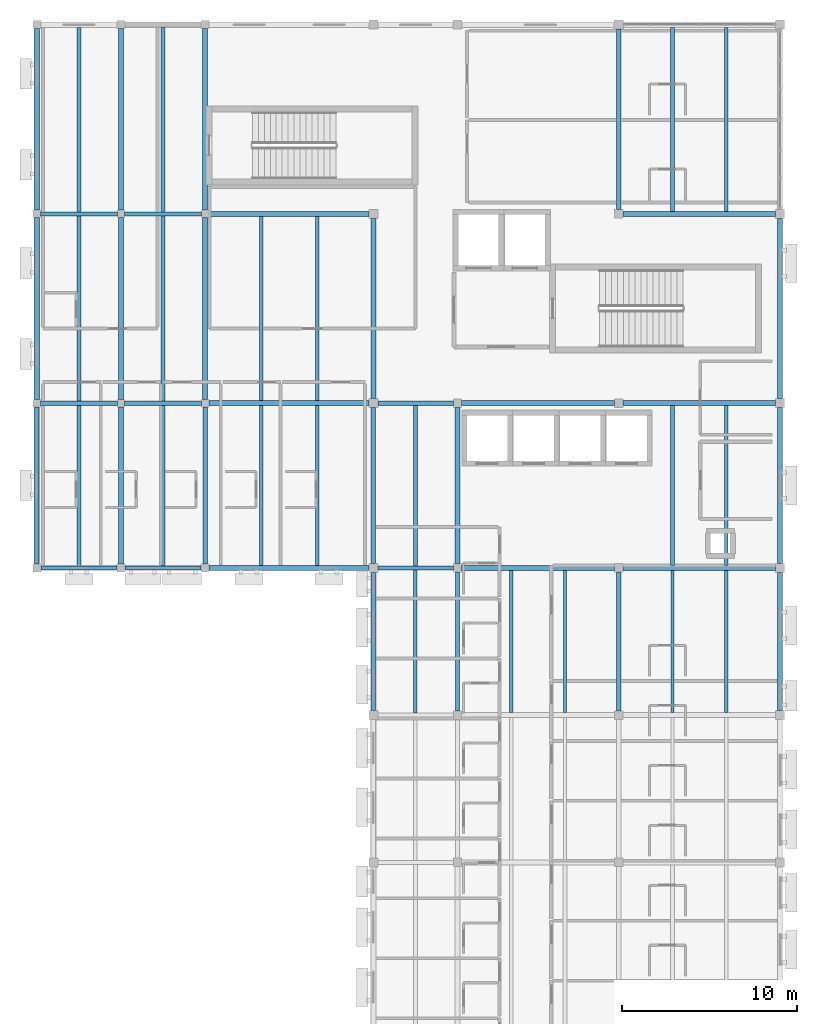
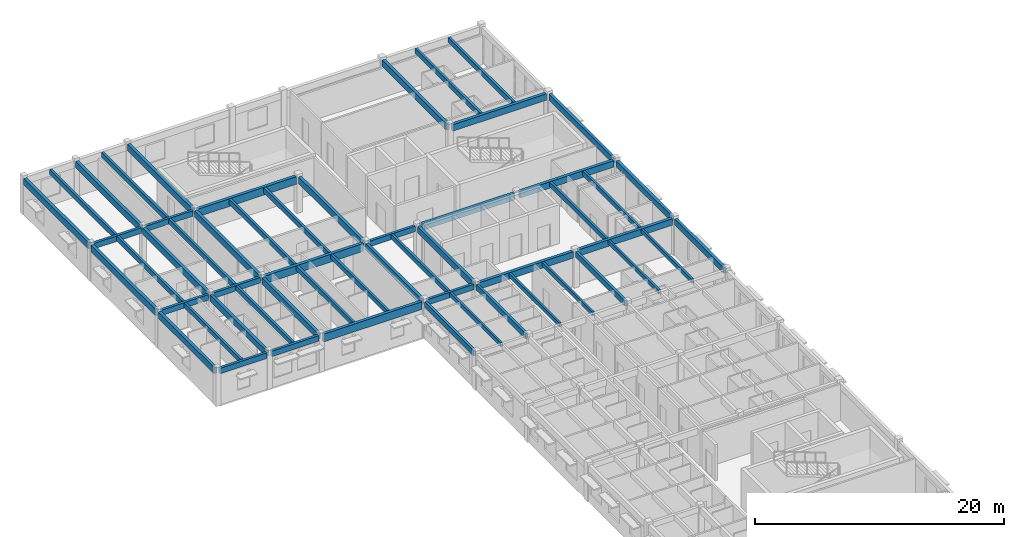
# One storey, part 2 of 22: 55 beams.
"""IFC4 building model written with IfcOpenShell, lengths in metres."""

from ifc_helpers import new_model, si_unit, direction, frame, origin, origin_2d, place, context, subcontext, project, spatial, rectangle, extrude, material, material_profile, profile_set, type_object, element, save


model = new_model("IFC4")

# Units and contexts
model_context = context("Model", 3, precision=1e-05, world=origin(), true_north=direction((0.0, 1.0)))
body_context = subcontext(model_context, "Body", "Model", "MODEL_VIEW")
ifc_project = project(units=[si_unit("LENGTHUNIT", "METRE"), si_unit("AREAUNIT", "SQUARE_METRE"), si_unit("VOLUMEUNIT", "CUBIC_METRE"), si_unit("PLANEANGLEUNIT", "RADIAN"), si_unit("MASSUNIT", "GRAM", prefix="KILO")], contexts=[model_context])

# Site, building, storey
site_placement = place(None, origin())
site = spatial("IfcSite", under=ifc_project, at=site_placement, CompositionType="ELEMENT")
building_placement = place(site_placement, origin())
building = spatial("IfcBuilding", under=site, at=building_placement, Name="Veldera Park Congress Hotel", CompositionType="ELEMENT")
storey_placement = place(building_placement, frame((0.0, 0.0, 23.800048828125)))
storey = spatial("IfcBuildingStorey", under=building, at=storey_placement, Name="L05", CompositionType="ELEMENT", Elevation=23.800048828125)

# Beams
ifc_material = material(Name="Glulam GL28h (NDS 24F-V4)", Category="wood")
ifc_material_profile_1 = material_profile(ifc_material, rectangle(XDim=0.239990234375, YDim=0.5400390625, at=origin_2d()), Name="GL28h 240x540")
ifc_profile_set_1 = profile_set([ifc_material_profile_1], Name="Glulam GL28h (NDS 24F-V4)")
beam_type_1 = type_object("IfcBeamType", Name="BM-GL540", PredefinedType="BEAM", material=ifc_profile_set_1)
for number, where, z_axis, x_axis, name in (
    (1, (41.824951171875, 27.0, 3.280029296875), (1.0, 0.0, 0.0), (0.0, 1.0, 0.0), "L05 Girder BM-GL540 1409"),
    (2, (46.625, 27.0, 3.280029296875), (1.0, 0.0, 0.0), (0.0, 1.0, 0.0), "L05 Girder BM-GL540 1410"),
):
    element("IfcBeam", number, at=place(storey_placement, frame(where, z_axis=z_axis, x_axis=x_axis)), inside=storey, type_object=beam_type_1, Name=name, PredefinedType="BEAM", context=body_context, shape_type="SweptSolid", body=[
        extrude(rectangle(XDim=0.239990234375, YDim=0.5400390625, at=origin_2d()), origin(), (0.0, 0.0, 1.0), 4.35009765625),
    ])
beam_1_placement = place(storey_placement, frame((61.06005859375, 27.0, 3.280029296875), z_axis=(1.0, 0.0, 0.0), x_axis=(0.0, 1.0, 0.0)))
element("IfcBeam", 3, at=beam_1_placement, inside=storey, type_object=beam_type_1, Name="L05 Girder BM-GL540 1412", PredefinedType="BEAM", context=body_context, shape_type="SweptSolid", body=[
    extrude(rectangle(XDim=0.239990234375, YDim=0.5400390625, at=origin_2d()), origin(), (0.0, 0.0, 1.0), 4.300048828125),
])
for number, where, z_axis, x_axis, name in (
    (4, (41.81005859375, 36.39990234375, 3.280029296875), (1.0, 0.0, 0.0), (0.0, 1.0, 0.0), "L05 Girder BM-GL540 1415"),
    (5, (46.610107421875, 36.39990234375, 3.280029296875), (1.0, 0.0, 0.0), (0.0, 1.0, 0.0), "L05 Girder BM-GL540 1416"),
):
    element("IfcBeam", number, at=place(storey_placement, frame(where, z_axis=z_axis, x_axis=x_axis)), inside=storey, type_object=beam_type_1, Name=name, PredefinedType="BEAM", context=body_context, shape_type="SweptSolid", body=[
        extrude(rectangle(XDim=0.239990234375, YDim=0.5400390625, at=origin_2d()), origin(), (0.0, 0.0, 1.0), 4.3798828125),
    ])
beam_2_placement = place(storey_placement, frame((61.06005859375, 36.39990234375, 3.280029296875), z_axis=(1.0, 0.0, 0.0), x_axis=(0.0, 1.0, 0.0)))
element("IfcBeam", 6, at=beam_2_placement, inside=storey, type_object=beam_type_1, Name="L05 Girder BM-GL540 1418", PredefinedType="BEAM", context=body_context, shape_type="SweptSolid", body=[
    extrude(rectangle(XDim=0.239990234375, YDim=0.5400390625, at=origin_2d()), origin(), (0.0, 0.0, 1.0), 4.300048828125),
])
for number, where, z_axis, x_axis, name in (
    (7, (41.81005859375, 47.199951171875, 3.280029296875), (1.0, 0.0, 0.0), (0.0, 1.0, 0.0), "L05 Girder BM-GL540 1421"),
    (8, (46.610107421875, 47.199951171875, 3.280029296875), (1.0, 0.0, 0.0), (0.0, 1.0, 0.0), "L05 Girder BM-GL540 1422"),
):
    element("IfcBeam", number, at=place(storey_placement, frame(where, z_axis=z_axis, x_axis=x_axis)), inside=storey, type_object=beam_type_1, Name=name, PredefinedType="BEAM", context=body_context, shape_type="SweptSolid", body=[
        extrude(rectangle(XDim=0.239990234375, YDim=0.5400390625, at=origin_2d()), origin(), (0.0, 0.0, 1.0), 4.3798828125),
    ])
beam_3_placement = place(storey_placement, frame((60.800048828125, 18.860107421875, 3.280029296875), z_axis=(0.0, 1.0, 0.0), x_axis=(-1.0, 0.0, 0.0)))
element("IfcBeam", 9, at=beam_3_placement, inside=storey, type_object=beam_type_1, Name="L05 Girder BM-GL540 1447", PredefinedType="BEAM", context=body_context, shape_type="SweptSolid", body=[
    extrude(rectangle(XDim=0.239990234375, YDim=0.5400390625, at=origin_2d()), origin(), (0.0, 0.0, 1.0), 7.8798828125),
])
for number, where, z_axis, x_axis, name in (
    (10, (65.60009765625, 18.840087890625, 3.280029296875), (0.0, 1.0, 0.0), (-1.0, 0.0, 0.0), "L05 Girder BM-GL540 1455"),
    (11, (74.800048828125, 18.840087890625, 3.280029296875), (0.0, 1.0, 0.0), (-1.0, 0.0, 0.0), "L05 Girder BM-GL540 1462"),
):
    element("IfcBeam", number, at=place(storey_placement, frame(where, z_axis=z_axis, x_axis=x_axis)), inside=storey, type_object=beam_type_1, Name=name, PredefinedType="BEAM", context=body_context, shape_type="SweptSolid", body=[
        extrude(rectangle(XDim=0.239990234375, YDim=0.5400390625, at=origin_2d()), origin(), (0.0, 0.0, 1.0), 7.919921875),
    ])
ifc_material_profile_2 = material_profile(ifc_material, rectangle(XDim=0.264892578125, YDim=0.580078125, at=origin_2d()), Name="GL28h 265x580")
ifc_profile_set_2 = profile_set([ifc_material_profile_2], Name="Glulam GL28h (NDS 24F-V4)")
beam_type_2 = type_object("IfcBeamType", Name="BM-GL540E", PredefinedType="BEAM", material=ifc_profile_set_2)
beam_4_placement = place(storey_placement, frame((84.0, 18.860107421875, 3.260009765625), z_axis=(0.0, 1.0, 0.0), x_axis=(-1.0, 0.0, 0.0)))
element("IfcBeam", 12, at=beam_4_placement, inside=storey, type_object=beam_type_2, Name="L05 Girder BM-GL540E 1471", PredefinedType="BEAM", context=body_context, shape_type="SweptSolid", body=[
    extrude(rectangle(XDim=0.264892578125, YDim=0.580078125, at=origin_2d()), origin(), (0.0, 0.0, 1.0), 7.8798828125),
])
beam_5_placement = place(storey_placement, frame((84.0, 27.260009765625, 3.260009765625), z_axis=(0.0, 1.0, 0.0), x_axis=(-1.0, 0.0, 0.0)))
element("IfcBeam", 13, at=beam_5_placement, inside=storey, type_object=beam_type_2, Name="L05 Girder BM-GL540E 1472", PredefinedType="BEAM", context=body_context, shape_type="SweptSolid", body=[
    extrude(rectangle(XDim=0.264892578125, YDim=0.580078125, at=origin_2d()), origin(), (0.0, 0.0, 1.0), 8.8798828125),
])
beam_6_placement = place(storey_placement, frame((84.0, 36.659912109375, 3.260009765625), z_axis=(0.0, 1.0, 0.0), x_axis=(-1.0, 0.0, 0.0)))
element("IfcBeam", 14, at=beam_6_placement, inside=storey, type_object=beam_type_2, Name="L05 Girder BM-GL540E 1473", PredefinedType="BEAM", context=body_context, shape_type="SweptSolid", body=[
    extrude(rectangle(XDim=0.264892578125, YDim=0.580078125, at=origin_2d()), origin(), (0.0, 0.0, 1.0), 10.280029296875),
])
ifc_material_profile_3 = material_profile(ifc_material, rectangle(XDim=0.264892578125, YDim=0.6201171875, at=origin_2d()), Name="GL28h 265x620")
ifc_profile_set_3 = profile_set([ifc_material_profile_3], Name="Glulam GL28h (NDS 24F-V4)")
beam_type_3 = type_object("IfcBeamType", Name="BM-GL620", PredefinedType="BEAM", material=ifc_profile_set_3)
for number, where, z_axis, x_axis, name in (
    (15, (41.60009765625, 27.22509765625, 3.239990234375), (0.0, 1.0, 0.0), (-1.0, 0.0, 0.0), "L05 Girder BM-GL620 1431"),
    (16, (46.39990234375, 27.22509765625, 3.239990234375), (0.0, 1.0, 0.0), (-1.0, 0.0, 0.0), "L05 Girder BM-GL620 1434"),
    (17, (51.199951171875, 27.22509765625, 3.239990234375), (0.0, 1.0, 0.0), (-1.0, 0.0, 0.0), "L05 Girder BM-GL620 1437"),
):
    element("IfcBeam", number, at=place(storey_placement, frame(where, z_axis=z_axis, x_axis=x_axis)), inside=storey, type_object=beam_type_3, Name=name, PredefinedType="BEAM", context=body_context, shape_type="SweptSolid", body=[
        extrude(rectangle(XDim=0.264892578125, YDim=0.6201171875, at=origin_2d()), origin(), (0.0, 0.0, 1.0), 8.96484375),
    ])
beam_7_placement = place(storey_placement, frame((60.800048828125, 27.260009765625, 3.239990234375), z_axis=(0.0, 1.0, 0.0), x_axis=(-1.0, 0.0, 0.0)))
element("IfcBeam", 18, at=beam_7_placement, inside=storey, type_object=beam_type_3, Name="L05 Girder BM-GL620 1448", PredefinedType="BEAM", context=body_context, shape_type="SweptSolid", body=[
    extrude(rectangle(XDim=0.264892578125, YDim=0.6201171875, at=origin_2d()), origin(), (0.0, 0.0, 1.0), 8.8798828125),
])
beam_8_placement = place(storey_placement, frame((65.60009765625, 27.239990234375, 3.239990234375), z_axis=(0.0, 1.0, 0.0), x_axis=(-1.0, 0.0, 0.0)))
element("IfcBeam", 19, at=beam_8_placement, inside=storey, type_object=beam_type_3, Name="L05 Girder BM-GL620 1456", PredefinedType="BEAM", context=body_context, shape_type="SweptSolid", body=[
    extrude(rectangle(XDim=0.264892578125, YDim=0.6201171875, at=origin_2d()), origin(), (0.0, 0.0, 1.0), 8.919921875),
])
ifc_material_profile_4 = material_profile(ifc_material, rectangle(XDim=0.280029296875, YDim=0.639892578125, at=origin_2d()), Name="GL28h 280x640")
ifc_profile_set_4 = profile_set([ifc_material_profile_4], Name="Glulam GL28h (NDS 24F-V4)")
beam_type_4 = type_object("IfcBeamType", Name="BM-GL640", PredefinedType="BEAM", material=ifc_profile_set_4)
beam_9_placement = place(storey_placement, frame((65.840087890625, 27.0, 3.22998046875), z_axis=(1.0, 0.0, 0.0), x_axis=(0.0, 1.0, 0.0)))
element("IfcBeam", 20, at=beam_9_placement, inside=storey, type_object=beam_type_4, Name="L05 Girder BM-GL640 1413", PredefinedType="BEAM", context=body_context, shape_type="SweptSolid", body=[
    extrude(rectangle(XDim=0.280029296875, YDim=0.639892578125, at=origin_2d()), origin(), (0.0, 0.0, 1.0), 8.719970703125),
])
beam_10_placement = place(storey_placement, frame((75.0400390625, 27.0, 3.22998046875), z_axis=(1.0, 0.0, 0.0), x_axis=(0.0, 1.0, 0.0)))
element("IfcBeam", 21, at=beam_10_placement, inside=storey, type_object=beam_type_4, Name="L05 Girder BM-GL640 1414", PredefinedType="BEAM", context=body_context, shape_type="SweptSolid", body=[
    extrude(rectangle(XDim=0.280029296875, YDim=0.639892578125, at=origin_2d()), origin(), (0.0, 0.0, 1.0), 8.699951171875),
])
beam_11_placement = place(storey_placement, frame((65.840087890625, 36.39990234375, 3.22998046875), z_axis=(1.0, 0.0, 0.0), x_axis=(0.0, 1.0, 0.0)))
element("IfcBeam", 22, at=beam_11_placement, inside=storey, type_object=beam_type_4, Name="L05 Girder BM-GL640 1419", PredefinedType="BEAM", context=body_context, shape_type="SweptSolid", body=[
    extrude(rectangle(XDim=0.280029296875, YDim=0.639892578125, at=origin_2d()), origin(), (0.0, 0.0, 1.0), 8.719970703125),
])
for number, where, z_axis, x_axis, name in (
    (23, (75.0400390625, 36.39990234375, 3.22998046875), (1.0, 0.0, 0.0), (0.0, 1.0, 0.0), "L05 Girder BM-GL640 1420"),
    (24, (75.0400390625, 47.199951171875, 3.22998046875), (1.0, 0.0, 0.0), (0.0, 1.0, 0.0), "L05 Girder BM-GL640 1424"),
):
    element("IfcBeam", number, at=place(storey_placement, frame(where, z_axis=z_axis, x_axis=x_axis)), inside=storey, type_object=beam_type_4, Name=name, PredefinedType="BEAM", context=body_context, shape_type="SweptSolid", body=[
        extrude(rectangle(XDim=0.280029296875, YDim=0.639892578125, at=origin_2d()), origin(), (0.0, 0.0, 1.0), 8.699951171875),
    ])
beam_12_placement = place(storey_placement, frame((41.60009765625, 36.610107421875, 3.22998046875), z_axis=(0.0, 1.0, 0.0), x_axis=(-1.0, 0.0, 0.0)))
element("IfcBeam", 25, at=beam_12_placement, inside=storey, type_object=beam_type_4, Name="L05 Girder BM-GL640 1432", PredefinedType="BEAM", context=body_context, shape_type="SweptSolid", body=[
    extrude(rectangle(XDim=0.280029296875, YDim=0.639892578125, at=origin_2d()), origin(), (0.0, 0.0, 1.0), 10.3798828125),
])
beam_13_placement = place(storey_placement, frame((41.60009765625, 47.409912109375, 3.22998046875), z_axis=(0.0, 1.0, 0.0), x_axis=(-1.0, 0.0, 0.0)))
element("IfcBeam", 26, at=beam_13_placement, inside=storey, type_object=beam_type_4, Name="L05 Girder BM-GL640 1433", PredefinedType="BEAM", context=body_context, shape_type="SweptSolid", body=[
    extrude(rectangle(XDim=0.280029296875, YDim=0.639892578125, at=origin_2d()), origin(), (0.0, 0.0, 1.0), 10.364990234375),
])
beam_14_placement = place(storey_placement, frame((46.39990234375, 36.610107421875, 3.22998046875), z_axis=(0.0, 1.0, 0.0), x_axis=(-1.0, 0.0, 0.0)))
element("IfcBeam", 27, at=beam_14_placement, inside=storey, type_object=beam_type_4, Name="L05 Girder BM-GL640 1435", PredefinedType="BEAM", context=body_context, shape_type="SweptSolid", body=[
    extrude(rectangle(XDim=0.280029296875, YDim=0.639892578125, at=origin_2d()), origin(), (0.0, 0.0, 1.0), 10.3798828125),
])
beam_15_placement = place(storey_placement, frame((46.39990234375, 47.409912109375, 3.22998046875), z_axis=(0.0, 1.0, 0.0), x_axis=(-1.0, 0.0, 0.0)))
element("IfcBeam", 28, at=beam_15_placement, inside=storey, type_object=beam_type_4, Name="L05 Girder BM-GL640 1436", PredefinedType="BEAM", context=body_context, shape_type="SweptSolid", body=[
    extrude(rectangle(XDim=0.280029296875, YDim=0.639892578125, at=origin_2d()), origin(), (0.0, 0.0, 1.0), 10.364990234375),
])
beam_16_placement = place(storey_placement, frame((51.199951171875, 36.610107421875, 3.22998046875), z_axis=(0.0, 1.0, 0.0), x_axis=(-1.0, 0.0, 0.0)))
element("IfcBeam", 29, at=beam_16_placement, inside=storey, type_object=beam_type_4, Name="L05 Girder BM-GL640 1438", PredefinedType="BEAM", context=body_context, shape_type="SweptSolid", body=[
    extrude(rectangle(XDim=0.280029296875, YDim=0.639892578125, at=origin_2d()), origin(), (0.0, 0.0, 1.0), 10.3798828125),
])
beam_17_placement = place(storey_placement, frame((51.199951171875, 47.409912109375, 3.22998046875), z_axis=(0.0, 1.0, 0.0), x_axis=(-1.0, 0.0, 0.0)))
element("IfcBeam", 30, at=beam_17_placement, inside=storey, type_object=beam_type_4, Name="L05 Girder BM-GL640 1439", PredefinedType="BEAM", context=body_context, shape_type="SweptSolid", body=[
    extrude(rectangle(XDim=0.280029296875, YDim=0.639892578125, at=origin_2d()), origin(), (0.0, 0.0, 1.0), 10.364990234375),
])
beam_18_placement = place(storey_placement, frame((60.800048828125, 36.659912109375, 3.22998046875), z_axis=(0.0, 1.0, 0.0), x_axis=(-1.0, 0.0, 0.0)))
element("IfcBeam", 31, at=beam_18_placement, inside=storey, type_object=beam_type_4, Name="L05 Girder BM-GL640 1449", PredefinedType="BEAM", context=body_context, shape_type="SweptSolid", body=[
    extrude(rectangle(XDim=0.280029296875, YDim=0.639892578125, at=origin_2d()), origin(), (0.0, 0.0, 1.0), 10.280029296875),
])
beam_19_placement = place(storey_placement, frame((74.800048828125, 47.43994140625, 3.22998046875), z_axis=(0.0, 1.0, 0.0), x_axis=(-1.0, 0.0, 0.0)))
element("IfcBeam", 32, at=beam_19_placement, inside=storey, type_object=beam_type_4, Name="L05 Girder BM-GL640 1463", PredefinedType="BEAM", context=body_context, shape_type="SweptSolid", body=[
    extrude(rectangle(XDim=0.280029296875, YDim=0.639892578125, at=origin_2d()), origin(), (0.0, 0.0, 1.0), 10.300048828125),
])
ifc_material_profile_5 = material_profile(ifc_material, rectangle(XDim=0.280029296875, YDim=0.760009765625, at=origin_2d()), Name="GL28h 280x760")
ifc_profile_set_5 = profile_set([ifc_material_profile_5], Name="Glulam GL28h (NDS 24F-V4)")
beam_type_5 = type_object("IfcBeamType", Name="BM-GL760", PredefinedType="BEAM", material=ifc_profile_set_5)
beam_20_placement = place(storey_placement, frame((51.425048828125, 27.0, 3.169921875), z_axis=(1.0, 0.0, 0.0), x_axis=(0.0, 1.0, 0.0)))
element("IfcBeam", 33, at=beam_20_placement, inside=storey, type_object=beam_type_5, Name="L05 Girder BM-GL760 1411", PredefinedType="BEAM", context=body_context, shape_type="SweptSolid", body=[
    extrude(rectangle(XDim=0.280029296875, YDim=0.760009765625, at=origin_2d()), origin(), (0.0, 0.0, 1.0), 9.114990234375),
])
for number, where, z_axis, x_axis, name in (
    (34, (51.409912109375, 36.39990234375, 3.169921875), (1.0, 0.0, 0.0), (0.0, 1.0, 0.0), "L05 Girder BM-GL760 1417"),
    (35, (51.409912109375, 47.199951171875, 3.169921875), (1.0, 0.0, 0.0), (0.0, 1.0, 0.0), "L05 Girder BM-GL760 1423"),
):
    element("IfcBeam", number, at=place(storey_placement, frame(where, z_axis=z_axis, x_axis=x_axis)), inside=storey, type_object=beam_type_5, Name=name, PredefinedType="BEAM", context=body_context, shape_type="SweptSolid", body=[
        extrude(rectangle(XDim=0.280029296875, YDim=0.760009765625, at=origin_2d()), origin(), (0.0, 0.0, 1.0), 9.130126953125),
    ])
ifc_material_profile_6 = material_profile(ifc_material, rectangle(XDim=0.18994140625, YDim=0.39990234375, at=origin_2d()), Name="GL28h 190x400")
ifc_profile_set_6 = profile_set([ifc_material_profile_6], Name="Glulam GL28h (NDS 24F-V4)")
beam_type_6 = type_object("IfcBeamType", Name="JST-GL400", PredefinedType="JOIST", material=ifc_profile_set_6)
beam_21_placement = place(storey_placement, frame((63.199951171875, 18.719970703125, 3.349853515625), z_axis=(0.0, 1.0, 0.0), x_axis=(-1.0, 0.0, 0.0)))
element("IfcBeam", 36, at=beam_21_placement, inside=storey, type_object=beam_type_6, Name="L05 Floor Joist JST-GL400 1493", PredefinedType="JOIST", context=body_context, shape_type="SweptSolid", body=[
    extrude(rectangle(XDim=0.18994140625, YDim=0.39990234375, at=origin_2d()), origin(), (0.0, 0.0, 1.0), 8.159912109375),
])
for number, where, z_axis, x_axis, name in (
    (37, (68.666748046875, 18.739990234375, 3.349853515625), (0.0, 1.0, 0.0), (-1.0, 0.0, 0.0), "L05 Floor Joist JST-GL400 1494"),
    (38, (71.7333984375, 18.739990234375, 3.349853515625), (0.0, 1.0, 0.0), (-1.0, 0.0, 0.0), "L05 Floor Joist JST-GL400 1495"),
    (39, (77.86669921875, 18.739990234375, 3.349853515625), (0.0, 1.0, 0.0), (-1.0, 0.0, 0.0), "L05 Floor Joist JST-GL400 1496"),
    (40, (80.933349609375, 18.739990234375, 3.349853515625), (0.0, 1.0, 0.0), (-1.0, 0.0, 0.0), "L05 Floor Joist JST-GL400 1497"),
):
    element("IfcBeam", number, at=place(storey_placement, frame(where, z_axis=z_axis, x_axis=x_axis)), inside=storey, type_object=beam_type_6, Name=name, PredefinedType="JOIST", context=body_context, shape_type="SweptSolid", body=[
        extrude(rectangle(XDim=0.18994140625, YDim=0.39990234375, at=origin_2d()), origin(), (0.0, 0.0, 1.0), 8.1201171875),
    ])
ifc_material_profile_7 = material_profile(ifc_material, rectangle(XDim=0.215087890625, YDim=0.449951171875, at=origin_2d()), Name="GL28h 215x450")
ifc_profile_set_7 = profile_set([ifc_material_profile_7], Name="Glulam GL28h (NDS 24F-V4)")
beam_type_7 = type_object("IfcBeamType", Name="JST-GL450", PredefinedType="JOIST", material=ifc_profile_set_7)
for number, where, z_axis, x_axis, name in (
    (41, (44.0, 27.1201171875, 3.324951171875), (0.0, 1.0, 0.0), (-1.0, 0.0, 0.0), "L05 Floor Joist JST-GL450 1498"),
    (42, (48.800048828125, 27.1201171875, 3.324951171875), (0.0, 1.0, 0.0), (-1.0, 0.0, 0.0), "L05 Floor Joist JST-GL450 1499"),
):
    element("IfcBeam", number, at=place(storey_placement, frame(where, z_axis=z_axis, x_axis=x_axis)), inside=storey, type_object=beam_type_7, Name=name, PredefinedType="JOIST", context=body_context, shape_type="SweptSolid", body=[
        extrude(rectangle(XDim=0.215087890625, YDim=0.449951171875, at=origin_2d()), origin(), (0.0, 0.0, 1.0), 9.159912109375),
    ])
for number, where, z_axis, x_axis, name in (
    (43, (54.39990234375, 27.139892578125, 3.324951171875), (0.0, 1.0, 0.0), (-1.0, 0.0, 0.0), "L05 Floor Joist JST-GL450 1500"),
    (44, (57.60009765625, 27.139892578125, 3.324951171875), (0.0, 1.0, 0.0), (-1.0, 0.0, 0.0), "L05 Floor Joist JST-GL450 1501"),
):
    element("IfcBeam", number, at=place(storey_placement, frame(where, z_axis=z_axis, x_axis=x_axis)), inside=storey, type_object=beam_type_7, Name=name, PredefinedType="JOIST", context=body_context, shape_type="SweptSolid", body=[
        extrude(rectangle(XDim=0.215087890625, YDim=0.449951171875, at=origin_2d()), origin(), (0.0, 0.0, 1.0), 9.1201171875),
    ])
beam_22_placement = place(storey_placement, frame((63.199951171875, 27.1201171875, 3.324951171875), z_axis=(0.0, 1.0, 0.0), x_axis=(-1.0, 0.0, 0.0)))
element("IfcBeam", 45, at=beam_22_placement, inside=storey, type_object=beam_type_7, Name="L05 Floor Joist JST-GL450 1502", PredefinedType="JOIST", context=body_context, shape_type="SweptSolid", body=[
    extrude(rectangle(XDim=0.215087890625, YDim=0.449951171875, at=origin_2d()), origin(), (0.0, 0.0, 1.0), 9.159912109375),
])
for number, where, z_axis, x_axis, name in (
    (46, (77.86669921875, 27.139892578125, 3.324951171875), (0.0, 1.0, 0.0), (-1.0, 0.0, 0.0), "L05 Floor Joist JST-GL450 1503"),
    (47, (80.933349609375, 27.139892578125, 3.324951171875), (0.0, 1.0, 0.0), (-1.0, 0.0, 0.0), "L05 Floor Joist JST-GL450 1504"),
):
    element("IfcBeam", number, at=place(storey_placement, frame(where, z_axis=z_axis, x_axis=x_axis)), inside=storey, type_object=beam_type_7, Name=name, PredefinedType="JOIST", context=body_context, shape_type="SweptSolid", body=[
        extrude(rectangle(XDim=0.215087890625, YDim=0.449951171875, at=origin_2d()), origin(), (0.0, 0.0, 1.0), 9.1201171875),
    ])
ifc_material_profile_8 = material_profile(ifc_material, rectangle(XDim=0.215087890625, YDim=0.4951171875, at=origin_2d()), Name="GL28h 215x495")
ifc_profile_set_8 = profile_set([ifc_material_profile_8], Name="Glulam GL28h (NDS 24F-V4)")
beam_type_8 = type_object("IfcBeamType", Name="JST-GL495", PredefinedType="JOIST", material=ifc_profile_set_8)
for number, where, z_axis, x_axis, name in (
    (48, (44.0, 36.52001953125, 3.302490234375), (0.0, 1.0, 0.0), (-1.0, 0.0, 0.0), "L05 Floor Joist JST-GL495 1505"),
    (49, (48.800048828125, 36.52001953125, 3.302490234375), (0.0, 1.0, 0.0), (-1.0, 0.0, 0.0), "L05 Floor Joist JST-GL495 1506"),
):
    element("IfcBeam", number, at=place(storey_placement, frame(where, z_axis=z_axis, x_axis=x_axis)), inside=storey, type_object=beam_type_8, Name=name, PredefinedType="JOIST", context=body_context, shape_type="SweptSolid", body=[
        extrude(rectangle(XDim=0.215087890625, YDim=0.4951171875, at=origin_2d()), origin(), (0.0, 0.0, 1.0), 10.56005859375),
    ])
for number, where, z_axis, x_axis, name in (
    (50, (54.39990234375, 36.5400390625, 3.302490234375), (0.0, 1.0, 0.0), (-1.0, 0.0, 0.0), "L05 Floor Joist JST-GL495 1507"),
    (51, (57.60009765625, 36.5400390625, 3.302490234375), (0.0, 1.0, 0.0), (-1.0, 0.0, 0.0), "L05 Floor Joist JST-GL495 1508"),
):
    element("IfcBeam", number, at=place(storey_placement, frame(where, z_axis=z_axis, x_axis=x_axis)), inside=storey, type_object=beam_type_8, Name=name, PredefinedType="JOIST", context=body_context, shape_type="SweptSolid", body=[
        extrude(rectangle(XDim=0.215087890625, YDim=0.4951171875, at=origin_2d()), origin(), (0.0, 0.0, 1.0), 10.52001953125),
    ])
for number, where, z_axis, x_axis, name in (
    (52, (44.0, 47.320068359375, 3.302490234375), (0.0, 1.0, 0.0), (-1.0, 0.0, 0.0), "L05 Floor Joist JST-GL495 1509"),
    (53, (48.800048828125, 47.320068359375, 3.302490234375), (0.0, 1.0, 0.0), (-1.0, 0.0, 0.0), "L05 Floor Joist JST-GL495 1510"),
):
    element("IfcBeam", number, at=place(storey_placement, frame(where, z_axis=z_axis, x_axis=x_axis)), inside=storey, type_object=beam_type_8, Name=name, PredefinedType="JOIST", context=body_context, shape_type="SweptSolid", body=[
        extrude(rectangle(XDim=0.215087890625, YDim=0.4951171875, at=origin_2d()), origin(), (0.0, 0.0, 1.0), 10.5224609375),
    ])
for number, where, z_axis, x_axis, name in (
    (54, (77.86669921875, 47.340087890625, 3.302490234375), (0.0, 1.0, 0.0), (-1.0, 0.0, 0.0), "L05 Floor Joist JST-GL495 1511"),
    (55, (80.933349609375, 47.340087890625, 3.302490234375), (0.0, 1.0, 0.0), (-1.0, 0.0, 0.0), "L05 Floor Joist JST-GL495 1512"),
):
    element("IfcBeam", number, at=place(storey_placement, frame(where, z_axis=z_axis, x_axis=x_axis)), inside=storey, type_object=beam_type_8, Name=name, PredefinedType="JOIST", context=body_context, shape_type="SweptSolid", body=[
        extrude(rectangle(XDim=0.215087890625, YDim=0.4951171875, at=origin_2d()), origin(), (0.0, 0.0, 1.0), 10.50244140625),
    ])

save(model, "model.ifc")
